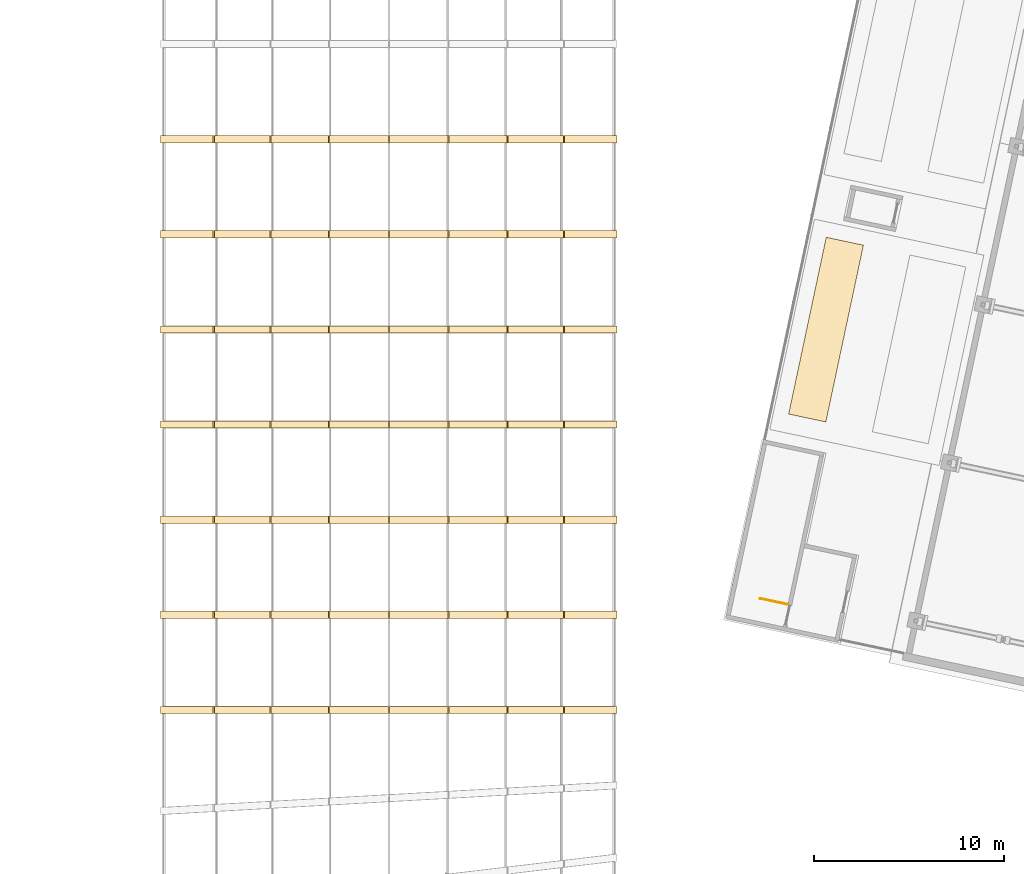
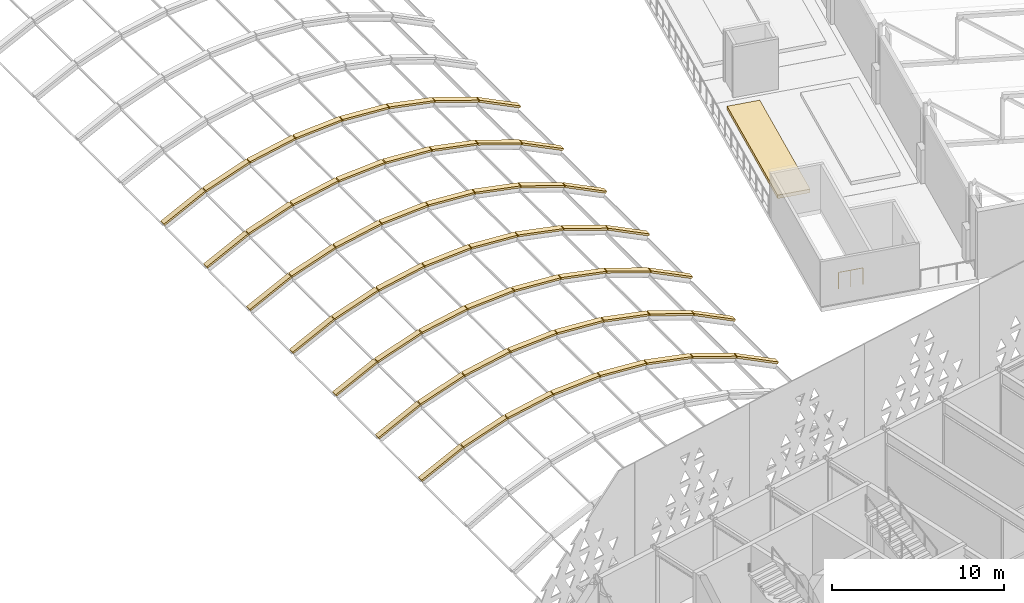
# One storey, part 193 of 196: 57 coverings, 1 railing.
"""IFC4 building model written with IfcOpenShell, lengths in metres."""

from ifc_helpers import new_model, si_unit, direction, frame, origin, origin_2d, place, context, subcontext, project, spatial, polyline, circle, outline, extrude, material, layer, layer_set, type_object, element, save


model = new_model("IFC4")

# Units and contexts
model_context = context("Model", 3, precision=1e-05, world=origin(), true_north=direction((0.0, 1.0)))
body_context = subcontext(model_context, "Body", "Model", "MODEL_VIEW")
ifc_project = project(units=[si_unit("LENGTHUNIT", "METRE"), si_unit("AREAUNIT", "SQUARE_METRE"), si_unit("VOLUMEUNIT", "CUBIC_METRE"), si_unit("PLANEANGLEUNIT", "RADIAN"), si_unit("MASSUNIT", "GRAM", prefix="KILO")], contexts=[model_context])

# Site, building, storey
site_placement = place(None, origin())
site = spatial("IfcSite", under=ifc_project, at=site_placement, CompositionType="ELEMENT")
building_placement = place(site_placement, origin())
building = spatial("IfcBuilding", under=site, at=building_placement, Name="Okhra Congress Centre", CompositionType="ELEMENT")
storey_placement = place(building_placement, frame((0.0, 0.0, 12.0)))
storey = spatial("IfcBuildingStorey", under=building, at=storey_placement, Name="L02", CompositionType="ELEMENT", Elevation=12.0)

# Coverings
ifc_material_1 = material(Name="Extruded aluminium capping, thermally broken", Category="aluminium")
ifc_layer_1 = layer(ifc_material_1, 0.139892578125)
ifc_layer_set_1 = layer_set([ifc_layer_1], Name="Aluminium rib capping 380")
covering_type_1 = type_object("IfcCoveringType", Name="Aluminium rib capping 380", PredefinedType="CLADDING", material=ifc_layer_set_1)
covering_1_placement = place(storey_placement, frame((160.248291015625, 90.81005859375, 1.1064453125), z_axis=(-0.445569024037, 0.0, 0.895247588558), x_axis=(0.895247588558, 0.0, 0.445569024037)))
element("IfcCovering", 1, at=covering_1_placement, inside=storey, type_object=covering_type_1, Name="Rib capping 4.3", PredefinedType="CLADDING", context=body_context, shape_type="SweptSolid", body=[
    extrude(outline(polyline([(0.0, 0.0), (3.089229209156341, 0.0), (3.089229209156341, 0.3798828125), (0.0, 0.3798828125), (0.0, 0.0)])), origin(), (0.0, 0.0, -1.0), 0.139892578125),
])
covering_2_placement = place(storey_placement, frame((163.069091796875, 90.81005859375, 2.506103515625), z_axis=(-0.323875724276, 0.0, 0.946099632822), x_axis=(0.946099632822, 0.0, 0.323875724276)))
element("IfcCovering", 2, at=covering_2_placement, inside=storey, type_object=covering_type_1, Name="Rib capping 4.4", PredefinedType="CLADDING", context=body_context, shape_type="SweptSolid", body=[
    extrude(outline(polyline([(0.0, 0.0), (3.0891116754363894, 0.0), (3.0891116754363894, 0.3798828125), (0.0, 0.3798828125), (0.0, 0.0)])), origin(), (0.0, 0.0, -1.0), 0.139892578125),
])
covering_3_placement = place(storey_placement, frame((166.049560546875, 90.81005859375, 3.522216796875), z_axis=(-0.196632858865, 0.0, 0.980477189339), x_axis=(0.980477189339, 0.0, 0.196632858865)))
element("IfcCovering", 3, at=covering_3_placement, inside=storey, type_object=covering_type_1, Name="Rib capping 4.5", PredefinedType="CLADDING", context=body_context, shape_type="SweptSolid", body=[
    extrude(outline(polyline([(0.0, 0.0), (3.089116836864927, 0.0), (3.089116836864927, 0.3798828125), (0.0, 0.3798828125), (0.0, 0.0)])), origin(), (0.0, 0.0, -1.0), 0.139892578125),
])
for number, where, z_axis, x_axis, name in (
    (4, (169.1376953125, 90.81005859375, 4.137451171875), (-0.065994431109, 0.0, 0.997819991312), (0.997819991312, 0.0, 0.065994431109), "Rib capping 4.6"),
    (5, (172.280029296875, 90.81005859375, 4.34130859375), (0.065994431109, 0.0, 0.997819991312), (0.997819991312, 0.0, -0.065994431109), "Rib capping 4.7"),
):
    element("IfcCovering", number, at=place(storey_placement, frame(where, z_axis=z_axis, x_axis=x_axis)), inside=storey, type_object=covering_type_1, Name=name, PredefinedType="CLADDING", context=body_context, shape_type="SweptSolid", body=[
        extrude(outline(polyline([(0.0, 0.0), (3.0890094580797283, 0.0), (3.0890094580797283, 0.3798828125), (0.0, 0.3798828125), (0.0, 0.0)])), origin(), (0.0, 0.0, -1.0), 0.139892578125),
    ])
covering_4_placement = place(storey_placement, frame((175.421630859375, 90.81005859375, 4.129638671875), z_axis=(0.196632858865, 0.0, 0.980477189339), x_axis=(0.980477189339, 0.0, -0.196632858865)))
element("IfcCovering", 6, at=covering_4_placement, inside=storey, type_object=covering_type_1, Name="Rib capping 4.8", PredefinedType="CLADDING", context=body_context, shape_type="SweptSolid", body=[
    extrude(outline(polyline([(0.0, 0.0), (3.089116836864927, 0.0), (3.089116836864927, 0.3798828125), (0.0, 0.3798828125), (0.0, 0.0)])), origin(), (0.0, 0.0, -1.0), 0.139892578125),
])
covering_5_placement = place(storey_placement, frame((178.50830078125, 90.81005859375, 3.506591796875), z_axis=(0.323875724276, 0.0, 0.946099632822), x_axis=(0.946099632822, 0.0, -0.323875724276)))
element("IfcCovering", 7, at=covering_5_placement, inside=storey, type_object=covering_type_1, Name="Rib capping 4.9", PredefinedType="CLADDING", context=body_context, shape_type="SweptSolid", body=[
    extrude(outline(polyline([(0.0, 0.0), (3.0891116754363894, 0.0), (3.0891116754363894, 0.3798828125), (0.0, 0.3798828125), (0.0, 0.0)])), origin(), (0.0, 0.0, -1.0), 0.139892578125),
])
for number, where, z_axis, x_axis, name in (
    (8, (181.486083984375, 90.81005859375, 2.48291015625), (0.445569024037, 0.0, 0.895247588558), (0.895247588558, 0.0, -0.445569024037), "Rib capping 4.10"),
    (9, (160.248291015625, 95.81005859375, 1.1064453125), (-0.445569024037, 0.0, 0.895247588558), (0.895247588558, 0.0, 0.445569024037), "Rib capping 5.3"),
):
    element("IfcCovering", number, at=place(storey_placement, frame(where, z_axis=z_axis, x_axis=x_axis)), inside=storey, type_object=covering_type_1, Name=name, PredefinedType="CLADDING", context=body_context, shape_type="SweptSolid", body=[
        extrude(outline(polyline([(0.0, 0.0), (3.089229209156341, 0.0), (3.089229209156341, 0.3798828125), (0.0, 0.3798828125), (0.0, 0.0)])), origin(), (0.0, 0.0, -1.0), 0.139892578125),
    ])
covering_6_placement = place(storey_placement, frame((163.069091796875, 95.81005859375, 2.506103515625), z_axis=(-0.323875724276, 0.0, 0.946099632822), x_axis=(0.946099632822, 0.0, 0.323875724276)))
element("IfcCovering", 10, at=covering_6_placement, inside=storey, type_object=covering_type_1, Name="Rib capping 5.4", PredefinedType="CLADDING", context=body_context, shape_type="SweptSolid", body=[
    extrude(outline(polyline([(0.0, 0.0), (3.0891116754363894, 0.0), (3.0891116754363894, 0.3798828125), (0.0, 0.3798828125), (0.0, 0.0)])), origin(), (0.0, 0.0, -1.0), 0.139892578125),
])
covering_7_placement = place(storey_placement, frame((166.049560546875, 95.81005859375, 3.522216796875), z_axis=(-0.196632858865, 0.0, 0.980477189339), x_axis=(0.980477189339, 0.0, 0.196632858865)))
element("IfcCovering", 11, at=covering_7_placement, inside=storey, type_object=covering_type_1, Name="Rib capping 5.5", PredefinedType="CLADDING", context=body_context, shape_type="SweptSolid", body=[
    extrude(outline(polyline([(0.0, 0.0), (3.089116836864927, 0.0), (3.089116836864927, 0.3798828125), (0.0, 0.3798828125), (0.0, 0.0)])), origin(), (0.0, 0.0, -1.0), 0.139892578125),
])
for number, where, z_axis, x_axis, name in (
    (12, (169.1376953125, 95.81005859375, 4.137451171875), (-0.065994431109, 0.0, 0.997819991312), (0.997819991312, 0.0, 0.065994431109), "Rib capping 5.6"),
    (13, (172.280029296875, 95.81005859375, 4.34130859375), (0.065994431109, 0.0, 0.997819991312), (0.997819991312, 0.0, -0.065994431109), "Rib capping 5.7"),
):
    element("IfcCovering", number, at=place(storey_placement, frame(where, z_axis=z_axis, x_axis=x_axis)), inside=storey, type_object=covering_type_1, Name=name, PredefinedType="CLADDING", context=body_context, shape_type="SweptSolid", body=[
        extrude(outline(polyline([(0.0, 0.0), (3.0890094580797283, 0.0), (3.0890094580797283, 0.3798828125), (0.0, 0.3798828125), (0.0, 0.0)])), origin(), (0.0, 0.0, -1.0), 0.139892578125),
    ])
covering_8_placement = place(storey_placement, frame((175.421630859375, 95.81005859375, 4.129638671875), z_axis=(0.196632858865, 0.0, 0.980477189339), x_axis=(0.980477189339, 0.0, -0.196632858865)))
element("IfcCovering", 14, at=covering_8_placement, inside=storey, type_object=covering_type_1, Name="Rib capping 5.8", PredefinedType="CLADDING", context=body_context, shape_type="SweptSolid", body=[
    extrude(outline(polyline([(0.0, 0.0), (3.089116836864927, 0.0), (3.089116836864927, 0.3798828125), (0.0, 0.3798828125), (0.0, 0.0)])), origin(), (0.0, 0.0, -1.0), 0.139892578125),
])
covering_9_placement = place(storey_placement, frame((178.50830078125, 95.81005859375, 3.506591796875), z_axis=(0.323875724276, 0.0, 0.946099632822), x_axis=(0.946099632822, 0.0, -0.323875724276)))
element("IfcCovering", 15, at=covering_9_placement, inside=storey, type_object=covering_type_1, Name="Rib capping 5.9", PredefinedType="CLADDING", context=body_context, shape_type="SweptSolid", body=[
    extrude(outline(polyline([(0.0, 0.0), (3.0891116754363894, 0.0), (3.0891116754363894, 0.3798828125), (0.0, 0.3798828125), (0.0, 0.0)])), origin(), (0.0, 0.0, -1.0), 0.139892578125),
])
for number, where, z_axis, x_axis, name in (
    (16, (181.486083984375, 95.81005859375, 2.48291015625), (0.445569024037, 0.0, 0.895247588558), (0.895247588558, 0.0, -0.445569024037), "Rib capping 5.10"),
    (17, (160.248291015625, 100.81005859375, 1.1064453125), (-0.445569024037, 0.0, 0.895247588558), (0.895247588558, 0.0, 0.445569024037), "Rib capping 6.3"),
):
    element("IfcCovering", number, at=place(storey_placement, frame(where, z_axis=z_axis, x_axis=x_axis)), inside=storey, type_object=covering_type_1, Name=name, PredefinedType="CLADDING", context=body_context, shape_type="SweptSolid", body=[
        extrude(outline(polyline([(0.0, 0.0), (3.089229209156341, 0.0), (3.089229209156341, 0.3798828125), (0.0, 0.3798828125), (0.0, 0.0)])), origin(), (0.0, 0.0, -1.0), 0.139892578125),
    ])
covering_10_placement = place(storey_placement, frame((163.069091796875, 100.81005859375, 2.506103515625), z_axis=(-0.323875724276, 0.0, 0.946099632822), x_axis=(0.946099632822, 0.0, 0.323875724276)))
element("IfcCovering", 18, at=covering_10_placement, inside=storey, type_object=covering_type_1, Name="Rib capping 6.4", PredefinedType="CLADDING", context=body_context, shape_type="SweptSolid", body=[
    extrude(outline(polyline([(0.0, 0.0), (3.0891116754363894, 0.0), (3.0891116754363894, 0.3798828125), (0.0, 0.3798828125), (0.0, 0.0)])), origin(), (0.0, 0.0, -1.0), 0.139892578125),
])
covering_11_placement = place(storey_placement, frame((166.049560546875, 100.81005859375, 3.522216796875), z_axis=(-0.196632858865, 0.0, 0.980477189339), x_axis=(0.980477189339, 0.0, 0.196632858865)))
element("IfcCovering", 19, at=covering_11_placement, inside=storey, type_object=covering_type_1, Name="Rib capping 6.5", PredefinedType="CLADDING", context=body_context, shape_type="SweptSolid", body=[
    extrude(outline(polyline([(0.0, 0.0), (3.089116836864927, 0.0), (3.089116836864927, 0.3798828125), (0.0, 0.3798828125), (0.0, 0.0)])), origin(), (0.0, 0.0, -1.0), 0.139892578125),
])
for number, where, z_axis, x_axis, name in (
    (20, (169.1376953125, 100.81005859375, 4.137451171875), (-0.065994431109, 0.0, 0.997819991312), (0.997819991312, 0.0, 0.065994431109), "Rib capping 6.6"),
    (21, (172.280029296875, 100.81005859375, 4.34130859375), (0.065994431109, 0.0, 0.997819991312), (0.997819991312, 0.0, -0.065994431109), "Rib capping 6.7"),
):
    element("IfcCovering", number, at=place(storey_placement, frame(where, z_axis=z_axis, x_axis=x_axis)), inside=storey, type_object=covering_type_1, Name=name, PredefinedType="CLADDING", context=body_context, shape_type="SweptSolid", body=[
        extrude(outline(polyline([(0.0, 0.0), (3.0890094580797283, 0.0), (3.0890094580797283, 0.3798828125), (0.0, 0.3798828125), (0.0, 0.0)])), origin(), (0.0, 0.0, -1.0), 0.139892578125),
    ])
covering_12_placement = place(storey_placement, frame((175.421630859375, 100.81005859375, 4.129638671875), z_axis=(0.196632858865, 0.0, 0.980477189339), x_axis=(0.980477189339, 0.0, -0.196632858865)))
element("IfcCovering", 22, at=covering_12_placement, inside=storey, type_object=covering_type_1, Name="Rib capping 6.8", PredefinedType="CLADDING", context=body_context, shape_type="SweptSolid", body=[
    extrude(outline(polyline([(0.0, 0.0), (3.089116836864927, 0.0), (3.089116836864927, 0.3798828125), (0.0, 0.3798828125), (0.0, 0.0)])), origin(), (0.0, 0.0, -1.0), 0.139892578125),
])
covering_13_placement = place(storey_placement, frame((178.50830078125, 100.81005859375, 3.506591796875), z_axis=(0.323875724276, 0.0, 0.946099632822), x_axis=(0.946099632822, 0.0, -0.323875724276)))
element("IfcCovering", 23, at=covering_13_placement, inside=storey, type_object=covering_type_1, Name="Rib capping 6.9", PredefinedType="CLADDING", context=body_context, shape_type="SweptSolid", body=[
    extrude(outline(polyline([(0.0, 0.0), (3.0891116754363894, 0.0), (3.0891116754363894, 0.3798828125), (0.0, 0.3798828125), (0.0, 0.0)])), origin(), (0.0, 0.0, -1.0), 0.139892578125),
])
for number, where, z_axis, x_axis, name in (
    (24, (181.486083984375, 100.81005859375, 2.48291015625), (0.445569024037, 0.0, 0.895247588558), (0.895247588558, 0.0, -0.445569024037), "Rib capping 6.10"),
    (25, (160.248291015625, 105.81005859375, 1.1064453125), (-0.445569024037, 0.0, 0.895247588558), (0.895247588558, 0.0, 0.445569024037), "Rib capping 7.3"),
):
    element("IfcCovering", number, at=place(storey_placement, frame(where, z_axis=z_axis, x_axis=x_axis)), inside=storey, type_object=covering_type_1, Name=name, PredefinedType="CLADDING", context=body_context, shape_type="SweptSolid", body=[
        extrude(outline(polyline([(0.0, 0.0), (3.089229209156341, 0.0), (3.089229209156341, 0.3798828125), (0.0, 0.3798828125), (0.0, 0.0)])), origin(), (0.0, 0.0, -1.0), 0.139892578125),
    ])
covering_14_placement = place(storey_placement, frame((163.069091796875, 105.81005859375, 2.506103515625), z_axis=(-0.323875724276, 0.0, 0.946099632822), x_axis=(0.946099632822, 0.0, 0.323875724276)))
element("IfcCovering", 26, at=covering_14_placement, inside=storey, type_object=covering_type_1, Name="Rib capping 7.4", PredefinedType="CLADDING", context=body_context, shape_type="SweptSolid", body=[
    extrude(outline(polyline([(0.0, 0.0), (3.0891116754363894, 0.0), (3.0891116754363894, 0.3798828125), (0.0, 0.3798828125), (0.0, 0.0)])), origin(), (0.0, 0.0, -1.0), 0.139892578125),
])
covering_15_placement = place(storey_placement, frame((166.049560546875, 105.81005859375, 3.522216796875), z_axis=(-0.196632858865, 0.0, 0.980477189339), x_axis=(0.980477189339, 0.0, 0.196632858865)))
element("IfcCovering", 27, at=covering_15_placement, inside=storey, type_object=covering_type_1, Name="Rib capping 7.5", PredefinedType="CLADDING", context=body_context, shape_type="SweptSolid", body=[
    extrude(outline(polyline([(0.0, 0.0), (3.089116836864927, 0.0), (3.089116836864927, 0.3798828125), (0.0, 0.3798828125), (0.0, 0.0)])), origin(), (0.0, 0.0, -1.0), 0.139892578125),
])
for number, where, z_axis, x_axis, name in (
    (28, (169.1376953125, 105.81005859375, 4.137451171875), (-0.065994431109, 0.0, 0.997819991312), (0.997819991312, 0.0, 0.065994431109), "Rib capping 7.6"),
    (29, (172.280029296875, 105.81005859375, 4.34130859375), (0.065994431109, 0.0, 0.997819991312), (0.997819991312, 0.0, -0.065994431109), "Rib capping 7.7"),
):
    element("IfcCovering", number, at=place(storey_placement, frame(where, z_axis=z_axis, x_axis=x_axis)), inside=storey, type_object=covering_type_1, Name=name, PredefinedType="CLADDING", context=body_context, shape_type="SweptSolid", body=[
        extrude(outline(polyline([(0.0, 0.0), (3.0890094580797283, 0.0), (3.0890094580797283, 0.3798828125), (0.0, 0.3798828125), (0.0, 0.0)])), origin(), (0.0, 0.0, -1.0), 0.139892578125),
    ])
covering_16_placement = place(storey_placement, frame((175.421630859375, 105.81005859375, 4.129638671875), z_axis=(0.196632858865, 0.0, 0.980477189339), x_axis=(0.980477189339, 0.0, -0.196632858865)))
element("IfcCovering", 30, at=covering_16_placement, inside=storey, type_object=covering_type_1, Name="Rib capping 7.8", PredefinedType="CLADDING", context=body_context, shape_type="SweptSolid", body=[
    extrude(outline(polyline([(0.0, 0.0), (3.089116836864927, 0.0), (3.089116836864927, 0.3798828125), (0.0, 0.3798828125), (0.0, 0.0)])), origin(), (0.0, 0.0, -1.0), 0.139892578125),
])
covering_17_placement = place(storey_placement, frame((178.50830078125, 105.81005859375, 3.506591796875), z_axis=(0.323875724276, 0.0, 0.946099632822), x_axis=(0.946099632822, 0.0, -0.323875724276)))
element("IfcCovering", 31, at=covering_17_placement, inside=storey, type_object=covering_type_1, Name="Rib capping 7.9", PredefinedType="CLADDING", context=body_context, shape_type="SweptSolid", body=[
    extrude(outline(polyline([(0.0, 0.0), (3.0891116754363894, 0.0), (3.0891116754363894, 0.3798828125), (0.0, 0.3798828125), (0.0, 0.0)])), origin(), (0.0, 0.0, -1.0), 0.139892578125),
])
for number, where, z_axis, x_axis, name in (
    (32, (181.486083984375, 105.81005859375, 2.48291015625), (0.445569024037, 0.0, 0.895247588558), (0.895247588558, 0.0, -0.445569024037), "Rib capping 7.10"),
    (33, (160.248291015625, 110.81005859375, 1.1064453125), (-0.445569024037, 0.0, 0.895247588558), (0.895247588558, 0.0, 0.445569024037), "Rib capping 8.3"),
):
    element("IfcCovering", number, at=place(storey_placement, frame(where, z_axis=z_axis, x_axis=x_axis)), inside=storey, type_object=covering_type_1, Name=name, PredefinedType="CLADDING", context=body_context, shape_type="SweptSolid", body=[
        extrude(outline(polyline([(0.0, 0.0), (3.089229209156341, 0.0), (3.089229209156341, 0.3798828125), (0.0, 0.3798828125), (0.0, 0.0)])), origin(), (0.0, 0.0, -1.0), 0.139892578125),
    ])
covering_18_placement = place(storey_placement, frame((163.069091796875, 110.81005859375, 2.506103515625), z_axis=(-0.323875724276, 0.0, 0.946099632822), x_axis=(0.946099632822, 0.0, 0.323875724276)))
element("IfcCovering", 34, at=covering_18_placement, inside=storey, type_object=covering_type_1, Name="Rib capping 8.4", PredefinedType="CLADDING", context=body_context, shape_type="SweptSolid", body=[
    extrude(outline(polyline([(0.0, 0.0), (3.0891116754363894, 0.0), (3.0891116754363894, 0.3798828125), (0.0, 0.3798828125), (0.0, 0.0)])), origin(), (0.0, 0.0, -1.0), 0.139892578125),
])
covering_19_placement = place(storey_placement, frame((166.049560546875, 110.81005859375, 3.522216796875), z_axis=(-0.196632858865, 0.0, 0.980477189339), x_axis=(0.980477189339, 0.0, 0.196632858865)))
element("IfcCovering", 35, at=covering_19_placement, inside=storey, type_object=covering_type_1, Name="Rib capping 8.5", PredefinedType="CLADDING", context=body_context, shape_type="SweptSolid", body=[
    extrude(outline(polyline([(0.0, 0.0), (3.089116836864927, 0.0), (3.089116836864927, 0.3798828125), (0.0, 0.3798828125), (0.0, 0.0)])), origin(), (0.0, 0.0, -1.0), 0.139892578125),
])
for number, where, z_axis, x_axis, name in (
    (36, (169.1376953125, 110.81005859375, 4.137451171875), (-0.065994431109, 0.0, 0.997819991312), (0.997819991312, 0.0, 0.065994431109), "Rib capping 8.6"),
    (37, (172.280029296875, 110.81005859375, 4.34130859375), (0.065994431109, 0.0, 0.997819991312), (0.997819991312, 0.0, -0.065994431109), "Rib capping 8.7"),
):
    element("IfcCovering", number, at=place(storey_placement, frame(where, z_axis=z_axis, x_axis=x_axis)), inside=storey, type_object=covering_type_1, Name=name, PredefinedType="CLADDING", context=body_context, shape_type="SweptSolid", body=[
        extrude(outline(polyline([(0.0, 0.0), (3.0890094580797283, 0.0), (3.0890094580797283, 0.3798828125), (0.0, 0.3798828125), (0.0, 0.0)])), origin(), (0.0, 0.0, -1.0), 0.139892578125),
    ])
covering_20_placement = place(storey_placement, frame((175.421630859375, 110.81005859375, 4.129638671875), z_axis=(0.196632858865, 0.0, 0.980477189339), x_axis=(0.980477189339, 0.0, -0.196632858865)))
element("IfcCovering", 38, at=covering_20_placement, inside=storey, type_object=covering_type_1, Name="Rib capping 8.8", PredefinedType="CLADDING", context=body_context, shape_type="SweptSolid", body=[
    extrude(outline(polyline([(0.0, 0.0), (3.089116836864927, 0.0), (3.089116836864927, 0.3798828125), (0.0, 0.3798828125), (0.0, 0.0)])), origin(), (0.0, 0.0, -1.0), 0.139892578125),
])
covering_21_placement = place(storey_placement, frame((178.50830078125, 110.81005859375, 3.506591796875), z_axis=(0.323875724276, 0.0, 0.946099632822), x_axis=(0.946099632822, 0.0, -0.323875724276)))
element("IfcCovering", 39, at=covering_21_placement, inside=storey, type_object=covering_type_1, Name="Rib capping 8.9", PredefinedType="CLADDING", context=body_context, shape_type="SweptSolid", body=[
    extrude(outline(polyline([(0.0, 0.0), (3.0891116754363894, 0.0), (3.0891116754363894, 0.3798828125), (0.0, 0.3798828125), (0.0, 0.0)])), origin(), (0.0, 0.0, -1.0), 0.139892578125),
])
for number, where, z_axis, x_axis, name in (
    (40, (181.486083984375, 110.81005859375, 2.48291015625), (0.445569024037, 0.0, 0.895247588558), (0.895247588558, 0.0, -0.445569024037), "Rib capping 8.10"),
    (41, (160.248291015625, 115.81005859375, 1.1064453125), (-0.445569024037, 0.0, 0.895247588558), (0.895247588558, 0.0, 0.445569024037), "Rib capping 9.3"),
):
    element("IfcCovering", number, at=place(storey_placement, frame(where, z_axis=z_axis, x_axis=x_axis)), inside=storey, type_object=covering_type_1, Name=name, PredefinedType="CLADDING", context=body_context, shape_type="SweptSolid", body=[
        extrude(outline(polyline([(0.0, 0.0), (3.089229209156341, 0.0), (3.089229209156341, 0.3798828125), (0.0, 0.3798828125), (0.0, 0.0)])), origin(), (0.0, 0.0, -1.0), 0.139892578125),
    ])
covering_22_placement = place(storey_placement, frame((163.069091796875, 115.81005859375, 2.506103515625), z_axis=(-0.323875724276, 0.0, 0.946099632822), x_axis=(0.946099632822, 0.0, 0.323875724276)))
element("IfcCovering", 42, at=covering_22_placement, inside=storey, type_object=covering_type_1, Name="Rib capping 9.4", PredefinedType="CLADDING", context=body_context, shape_type="SweptSolid", body=[
    extrude(outline(polyline([(0.0, 0.0), (3.0891116754363894, 0.0), (3.0891116754363894, 0.3798828125), (0.0, 0.3798828125), (0.0, 0.0)])), origin(), (0.0, 0.0, -1.0), 0.139892578125),
])
covering_23_placement = place(storey_placement, frame((166.049560546875, 115.81005859375, 3.522216796875), z_axis=(-0.196632858865, 0.0, 0.980477189339), x_axis=(0.980477189339, 0.0, 0.196632858865)))
element("IfcCovering", 43, at=covering_23_placement, inside=storey, type_object=covering_type_1, Name="Rib capping 9.5", PredefinedType="CLADDING", context=body_context, shape_type="SweptSolid", body=[
    extrude(outline(polyline([(0.0, 0.0), (3.089116836864927, 0.0), (3.089116836864927, 0.3798828125), (0.0, 0.3798828125), (0.0, 0.0)])), origin(), (0.0, 0.0, -1.0), 0.139892578125),
])
for number, where, z_axis, x_axis, name in (
    (44, (169.1376953125, 115.81005859375, 4.137451171875), (-0.065994431109, 0.0, 0.997819991312), (0.997819991312, 0.0, 0.065994431109), "Rib capping 9.6"),
    (45, (172.280029296875, 115.81005859375, 4.34130859375), (0.065994431109, 0.0, 0.997819991312), (0.997819991312, 0.0, -0.065994431109), "Rib capping 9.7"),
):
    element("IfcCovering", number, at=place(storey_placement, frame(where, z_axis=z_axis, x_axis=x_axis)), inside=storey, type_object=covering_type_1, Name=name, PredefinedType="CLADDING", context=body_context, shape_type="SweptSolid", body=[
        extrude(outline(polyline([(0.0, 0.0), (3.0890094580797283, 0.0), (3.0890094580797283, 0.3798828125), (0.0, 0.3798828125), (0.0, 0.0)])), origin(), (0.0, 0.0, -1.0), 0.139892578125),
    ])
covering_24_placement = place(storey_placement, frame((175.421630859375, 115.81005859375, 4.129638671875), z_axis=(0.196632858865, 0.0, 0.980477189339), x_axis=(0.980477189339, 0.0, -0.196632858865)))
element("IfcCovering", 46, at=covering_24_placement, inside=storey, type_object=covering_type_1, Name="Rib capping 9.8", PredefinedType="CLADDING", context=body_context, shape_type="SweptSolid", body=[
    extrude(outline(polyline([(0.0, 0.0), (3.089116836864927, 0.0), (3.089116836864927, 0.3798828125), (0.0, 0.3798828125), (0.0, 0.0)])), origin(), (0.0, 0.0, -1.0), 0.139892578125),
])
covering_25_placement = place(storey_placement, frame((178.50830078125, 115.81005859375, 3.506591796875), z_axis=(0.323875724276, 0.0, 0.946099632822), x_axis=(0.946099632822, 0.0, -0.323875724276)))
element("IfcCovering", 47, at=covering_25_placement, inside=storey, type_object=covering_type_1, Name="Rib capping 9.9", PredefinedType="CLADDING", context=body_context, shape_type="SweptSolid", body=[
    extrude(outline(polyline([(0.0, 0.0), (3.0891116754363894, 0.0), (3.0891116754363894, 0.3798828125), (0.0, 0.3798828125), (0.0, 0.0)])), origin(), (0.0, 0.0, -1.0), 0.139892578125),
])
for number, where, z_axis, x_axis, name in (
    (48, (181.486083984375, 115.81005859375, 2.48291015625), (0.445569024037, 0.0, 0.895247588558), (0.895247588558, 0.0, -0.445569024037), "Rib capping 9.10"),
    (49, (160.248291015625, 120.81005859375, 1.1064453125), (-0.445569024037, 0.0, 0.895247588558), (0.895247588558, 0.0, 0.445569024037), "Rib capping 10.3"),
):
    element("IfcCovering", number, at=place(storey_placement, frame(where, z_axis=z_axis, x_axis=x_axis)), inside=storey, type_object=covering_type_1, Name=name, PredefinedType="CLADDING", context=body_context, shape_type="SweptSolid", body=[
        extrude(outline(polyline([(0.0, 0.0), (3.089229209156341, 0.0), (3.089229209156341, 0.3798828125), (0.0, 0.3798828125), (0.0, 0.0)])), origin(), (0.0, 0.0, -1.0), 0.139892578125),
    ])
covering_26_placement = place(storey_placement, frame((163.069091796875, 120.81005859375, 2.506103515625), z_axis=(-0.323875724276, 0.0, 0.946099632822), x_axis=(0.946099632822, 0.0, 0.323875724276)))
element("IfcCovering", 50, at=covering_26_placement, inside=storey, type_object=covering_type_1, Name="Rib capping 10.4", PredefinedType="CLADDING", context=body_context, shape_type="SweptSolid", body=[
    extrude(outline(polyline([(0.0, 0.0), (3.0891116754363894, 0.0), (3.0891116754363894, 0.3798828125), (0.0, 0.3798828125), (0.0, 0.0)])), origin(), (0.0, 0.0, -1.0), 0.139892578125),
])
covering_27_placement = place(storey_placement, frame((166.049560546875, 120.81005859375, 3.522216796875), z_axis=(-0.196632858865, 0.0, 0.980477189339), x_axis=(0.980477189339, 0.0, 0.196632858865)))
element("IfcCovering", 51, at=covering_27_placement, inside=storey, type_object=covering_type_1, Name="Rib capping 10.5", PredefinedType="CLADDING", context=body_context, shape_type="SweptSolid", body=[
    extrude(outline(polyline([(0.0, 0.0), (3.089116836864927, 0.0), (3.089116836864927, 0.3798828125), (0.0, 0.3798828125), (0.0, 0.0)])), origin(), (0.0, 0.0, -1.0), 0.139892578125),
])
for number, where, z_axis, x_axis, name in (
    (52, (169.1376953125, 120.81005859375, 4.137451171875), (-0.065994431109, 0.0, 0.997819991312), (0.997819991312, 0.0, 0.065994431109), "Rib capping 10.6"),
    (53, (172.280029296875, 120.81005859375, 4.34130859375), (0.065994431109, 0.0, 0.997819991312), (0.997819991312, 0.0, -0.065994431109), "Rib capping 10.7"),
):
    element("IfcCovering", number, at=place(storey_placement, frame(where, z_axis=z_axis, x_axis=x_axis)), inside=storey, type_object=covering_type_1, Name=name, PredefinedType="CLADDING", context=body_context, shape_type="SweptSolid", body=[
        extrude(outline(polyline([(0.0, 0.0), (3.0890094580797283, 0.0), (3.0890094580797283, 0.3798828125), (0.0, 0.3798828125), (0.0, 0.0)])), origin(), (0.0, 0.0, -1.0), 0.139892578125),
    ])
covering_28_placement = place(storey_placement, frame((175.421630859375, 120.81005859375, 4.129638671875), z_axis=(0.196632858865, 0.0, 0.980477189339), x_axis=(0.980477189339, 0.0, -0.196632858865)))
element("IfcCovering", 54, at=covering_28_placement, inside=storey, type_object=covering_type_1, Name="Rib capping 10.8", PredefinedType="CLADDING", context=body_context, shape_type="SweptSolid", body=[
    extrude(outline(polyline([(0.0, 0.0), (3.089116836864927, 0.0), (3.089116836864927, 0.3798828125), (0.0, 0.3798828125), (0.0, 0.0)])), origin(), (0.0, 0.0, -1.0), 0.139892578125),
])
covering_29_placement = place(storey_placement, frame((178.50830078125, 120.81005859375, 3.506591796875), z_axis=(0.323875724276, 0.0, 0.946099632822), x_axis=(0.946099632822, 0.0, -0.323875724276)))
element("IfcCovering", 55, at=covering_29_placement, inside=storey, type_object=covering_type_1, Name="Rib capping 10.9", PredefinedType="CLADDING", context=body_context, shape_type="SweptSolid", body=[
    extrude(outline(polyline([(0.0, 0.0), (3.0891116754363894, 0.0), (3.0891116754363894, 0.3798828125), (0.0, 0.3798828125), (0.0, 0.0)])), origin(), (0.0, 0.0, -1.0), 0.139892578125),
])
covering_30_placement = place(storey_placement, frame((181.486083984375, 120.81005859375, 2.48291015625), z_axis=(0.445569024037, 0.0, 0.895247588558), x_axis=(0.895247588558, 0.0, -0.445569024037)))
element("IfcCovering", 56, at=covering_30_placement, inside=storey, type_object=covering_type_1, Name="Rib capping 10.10", PredefinedType="CLADDING", context=body_context, shape_type="SweptSolid", body=[
    extrude(outline(polyline([(0.0, 0.0), (3.089229209156341, 0.0), (3.089229209156341, 0.3798828125), (0.0, 0.3798828125), (0.0, 0.0)])), origin(), (0.0, 0.0, -1.0), 0.139892578125),
])
ifc_material_2 = material(Name="Drainage mat, filter fleece, 150 mm lightweight substrate with sedum and herb planting")
ifc_layer_2 = layer(ifc_material_2, 0.25)
ifc_layer_set_2 = layer_set([ifc_layer_2], Name="Green roof planting bed 250")
covering_type_2 = type_object("IfcCoveringType", Name="Green roof planting bed 250", PredefinedType="USERDEFINED", material=ifc_layer_set_2)
covering_31_placement = place(storey_placement, frame((0.0, 0.0, 0.006103515625)))
element("IfcCovering", 57, at=covering_31_placement, inside=storey, type_object=covering_type_2, Name="Green roof planting bed", ObjectType="GREEN ROOF", PredefinedType="USERDEFINED", context=body_context, shape_type="SweptSolid", body=[
    extrude(outline(polyline([(193.26513671875, 106.5517578125), (195.221435546875, 106.135986328125), (197.196533203125, 115.42822265625), (195.240234375, 115.843994140625), (193.26513671875, 106.5517578125)])), origin(), (0.0, 0.0, 1.0), 0.25),
])

# Railing
ifc_material_3 = material(Name="Painted steel tube guard with vertical steel balusters", Category="steel")
railing_type = type_object("IfcRailingType", Name="Steel stair guard 1200", PredefinedType="GUARDRAIL", material=ifc_material_3)
railing_placement = place(storey_placement, frame((193.23291015625, 96.53955078125, 0.0)))
element("IfcRailing", 58, at=railing_placement, inside=storey, type_object=railing_type, Name="L02 BG1 top well guard 1", PredefinedType="GUARDRAIL", context=body_context, shape_type="SweptSolid", body=[
    extrude(circle(Radius=0.02392578125, at=origin_2d()), frame((0.0, 0.0, 1.17578125), z_axis=(-0.978129887478, 0.207995007687, 0.0), x_axis=(-0.207995007687, -0.978129887478, 0.0)), (0.0, 0.0, 1.0), 1.5),
    extrude(circle(Radius=0.02099609375, at=origin_2d()), origin(), (0.0, 0.0, 1.0), 1.15185546875),
    extrude(circle(Radius=0.02099609375, at=origin_2d()), frame((-0.733642578125, 0.156005859375, 0.0)), (0.0, 0.0, 1.0), 1.15185546875),
    extrude(circle(Radius=0.02099609375, at=origin_2d()), frame((-1.46728515625, 0.31201171875, 0.0)), (0.0, 0.0, 1.0), 1.15185546875),
])

save(model, "model.ifc")
